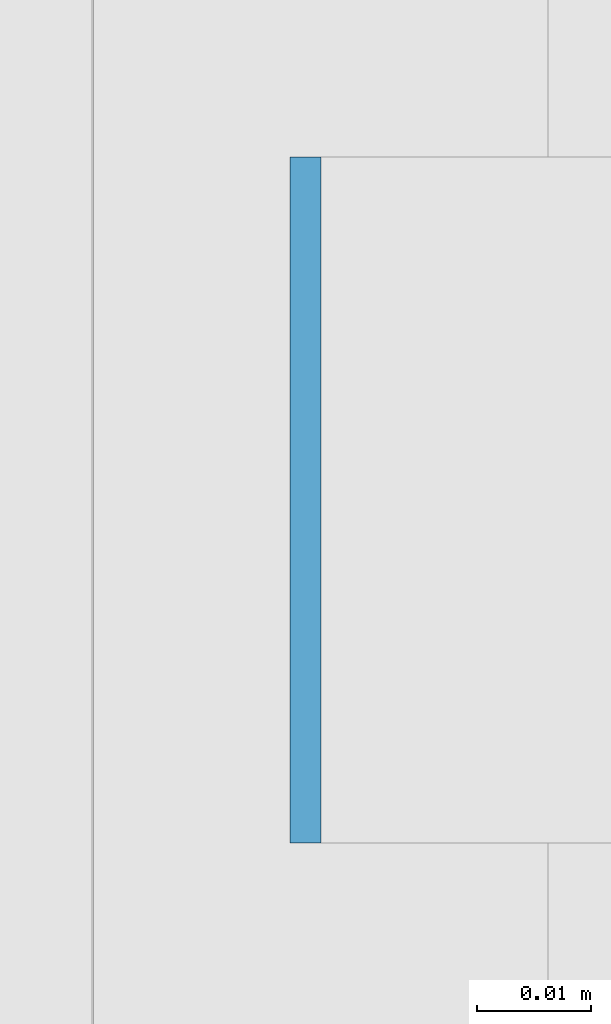
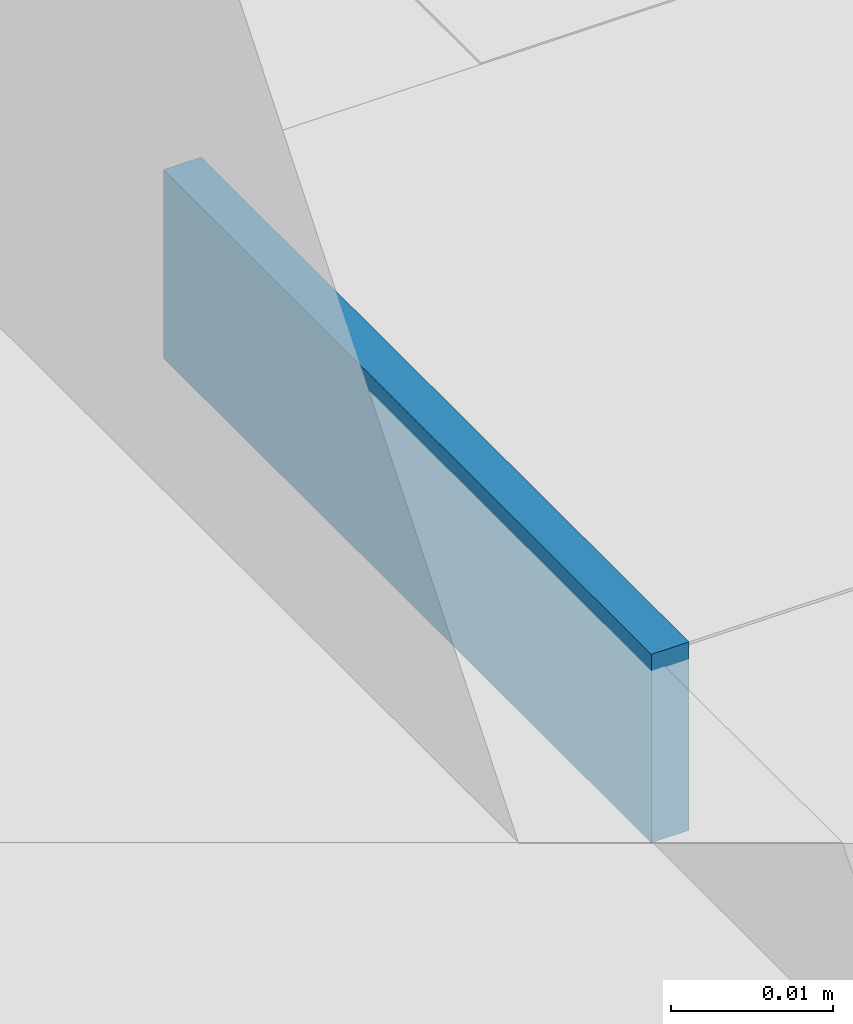
# One storey, part 537 of 646: 1 discrete accessory.
"""IFC4 building model written with IfcOpenShell, lengths in metres."""

from ifc_helpers import new_model, si_unit, direction, frame, origin, origin_2d, place, context, subcontext, project, spatial, rectangle, extrude, material, type_object, element, save


model = new_model("IFC4")

# Units and contexts
model_context = context("Model", 3, precision=1e-05, world=origin(), true_north=direction((0.0, 1.0)))
body_context = subcontext(model_context, "Body", "Model", "MODEL_VIEW")
ifc_project = project(units=[si_unit("LENGTHUNIT", "METRE"), si_unit("AREAUNIT", "SQUARE_METRE"), si_unit("VOLUMEUNIT", "CUBIC_METRE"), si_unit("PLANEANGLEUNIT", "RADIAN"), si_unit("MASSUNIT", "GRAM", prefix="KILO")], contexts=[model_context])

# Site, building, storey
site_placement = place(None, origin())
site = spatial("IfcSite", under=ifc_project, at=site_placement, CompositionType="ELEMENT")
building_placement = place(site_placement, origin())
building = spatial("IfcBuilding", under=site, at=building_placement, Name="Silverbay Arena", CompositionType="ELEMENT")
storey_placement = place(building_placement, frame((0.0, 0.0, 33.5)))
storey = spatial("IfcBuildingStorey", under=building, at=storey_placement, Name="L05", CompositionType="ELEMENT", Elevation=33.5)

# Discrete accessory
ifc_material = material(Name="Steel S355", Category="steel")
discrete_accessory_type = type_object("IfcDiscreteAccessoryType", Name="Steel bracket plate", PredefinedType="BRACKET", material=ifc_material)
discrete_accessory_placement = place(storey_placement, frame((207.128662109375, 88.71435546875, 12.98583984375), z_axis=(0.0, 0.0, 1.0), x_axis=(1.0, 0.0, 0.0)))
element("IfcDiscreteAccessory", 1, at=discrete_accessory_placement, inside=storey, type_object=discrete_accessory_type, Name="Curtain wall packing plate", PredefinedType="BRACKET", context=body_context, shape_type="SweptSolid", body=[
    extrude(rectangle(XDim=0.002685546875, YDim=0.06005859375, at=origin_2d()), origin(), (0.0, 0.0, 1.0), 0.01416015625),
])

save(model, "model.ifc")
